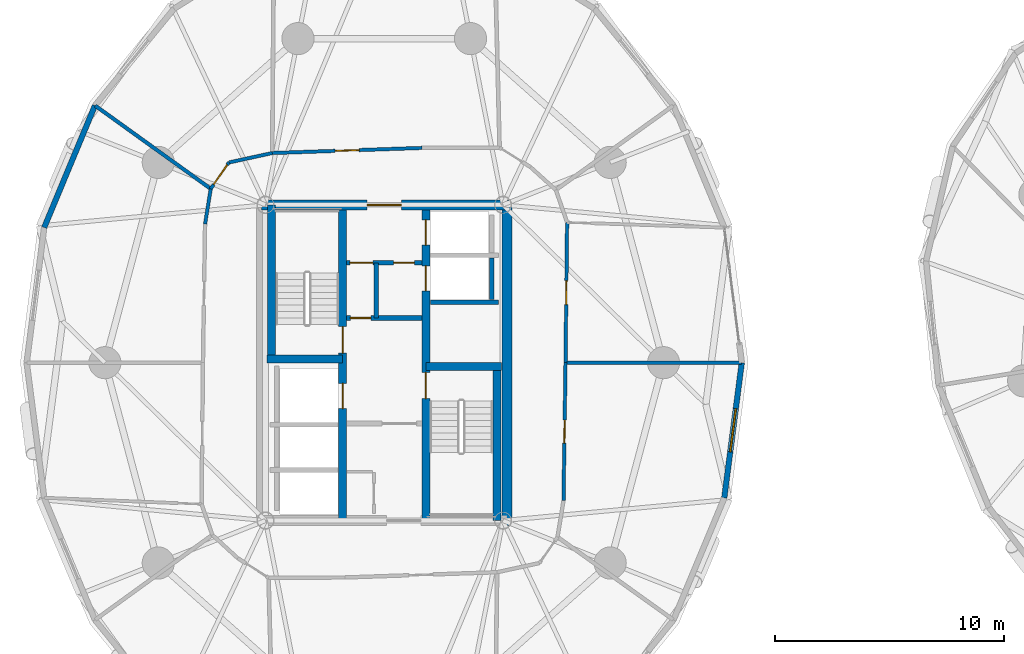
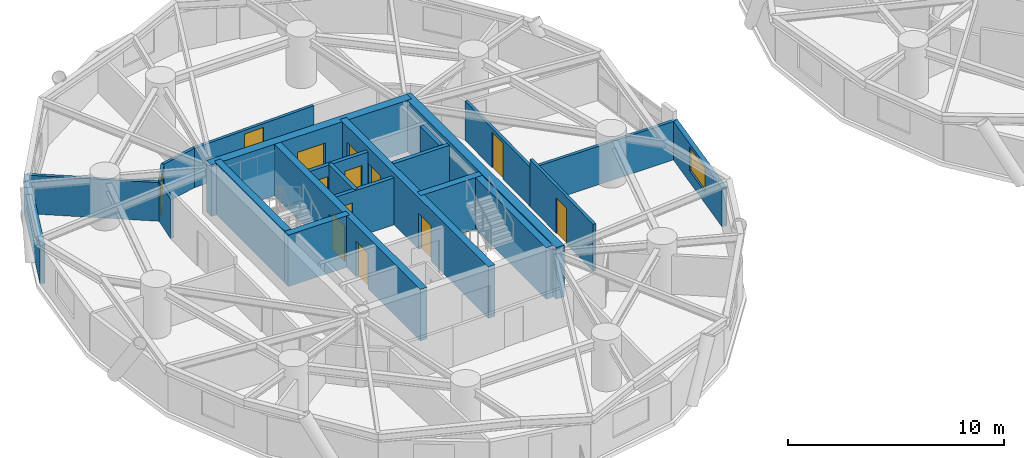
# One storey, part 10 of 17: 23 walls, 13 doors, 1 window, 14 openings.
"""IFC4 building model written with IfcOpenShell, lengths in metres."""

from ifc_helpers import new_model, si_unit, direction, frame, frame_2d, origin, place, context, subcontext, project, spatial, rectangle, extrude, source, transform, mapped, material, layer, layer_set, type_object, element, fill, save


model = new_model("IFC4")

# Units and contexts
model_context = context("Model", 3, precision=1e-05, world=origin(), true_north=direction((0.0, 1.0)))
body_context = subcontext(model_context, "Body", "Model", "MODEL_VIEW")
ifc_project = project(units=[si_unit("LENGTHUNIT", "METRE"), si_unit("AREAUNIT", "SQUARE_METRE"), si_unit("VOLUMEUNIT", "CUBIC_METRE"), si_unit("PLANEANGLEUNIT", "RADIAN"), si_unit("MASSUNIT", "GRAM", prefix="KILO")], contexts=[model_context])

# Site, building, storey
site_placement = place(None, origin())
site = spatial("IfcSite", under=ifc_project, at=site_placement, CompositionType="ELEMENT")
building_placement = place(site_placement, origin())
building = spatial("IfcBuilding", under=site, at=building_placement, Name="Cununo Teusaquillo Station Towers", CompositionType="ELEMENT")
storey_placement = place(building_placement, frame((0.0, 0.0, 78.8798828125)))
storey = spatial("IfcBuildingStorey", under=building, at=storey_placement, Name="L24", CompositionType="ELEMENT", Elevation=78.8798828125)

# Walls
ifc_material_1 = material(Name="Concrete C50/60", Category="concrete")
ifc_layer_1 = layer(ifc_material_1, 0.199951171875)
ifc_layer_set_1 = layer_set([ifc_layer_1], Name="Concrete C50/60")
wall_type_1 = type_object("IfcWallType", Name="WL-CORE-200", PredefinedType="SHEAR", material=ifc_layer_set_1)
wall_1_placement = place(storey_placement, frame((18.510009765625, 27.1298828125, 0.0), z_axis=(0.0, 0.0, 1.0), x_axis=(1.0, 0.0, 0.0)))
element("IfcWall", 1, at=wall_1_placement, inside=storey, type_object=wall_type_1, Name="L24 Tower A Low-Rise Lift Hoistway South Shear Wall", PredefinedType="SHEAR", context=body_context, shape_type="SweptSolid", body=[
    extrude(rectangle(XDim=2.969970703125, YDim=0.199951171875, at=frame_2d((1.48486328125, 0.0))), origin(), (0.0, 0.0, 1.0), 2.91015625),
])
wall_2_placement = place(storey_placement, frame((21.179931640625, 27.25, 0.0), z_axis=(0.0, 0.0, 1.0), x_axis=(0.0, 1.0, 0.0)))
element("IfcWall", 2, at=wall_2_placement, inside=storey, type_object=wall_type_1, Name="L24 Tower A Low-Rise Lift 1 Shaft Rear Shear Wall", PredefinedType="SHEAR", context=body_context, shape_type="SweptSolid", body=[
    extrude(rectangle(XDim=1.804931640625, YDim=0.199951171875, at=frame_2d((0.90234375, 0.0))), origin(), (0.0, 0.0, 1.0), 2.91015625),
])

# Wall, openings, doors
ifc_material_2 = material(Name="Concrete C50/60", Category="concrete")
ifc_layer_2 = layer(ifc_material_2, 0.35009765625)
ifc_layer_set_2 = layer_set([ifc_layer_2], Name="Concrete C50/60")
wall_type_2 = type_object("IfcWallType", Name="WL-CORE-350", PredefinedType="SHEAR", material=ifc_layer_set_2)
wall_3_placement = place(storey_placement, frame((14.68505859375, 17.625, 0.0), z_axis=(0.0, 0.0, 1.0), x_axis=(0.0, 1.0, 0.0)))
wall_3 = element("IfcWall", 3, at=wall_3_placement, inside=storey, type_object=wall_type_2, Name="L24 Tower A Core Shear Wall IW", PredefinedType="SHEAR", context=body_context, shape_type="SweptSolid", body=[
    extrude(rectangle(XDim=13.75, YDim=0.35009765625, at=frame_2d((6.875, 0.0))), origin(), (0.0, 0.0, 1.0), 2.91015625),
])
shared_shape_1 = source(origin(), body_context, "Body", "SweptSolid", [
    extrude(rectangle(XDim=1.10009765625, YDim=2.014892578125, at=frame_2d((0.550048828125, 1.00732421875))), frame((0.0, 0.18505859375, 0.0), z_axis=(0.0, -1.0, 0.0), x_axis=(1.0, 0.0, 0.0)), (0.0, 0.0, 1.0), 0.3701171875),
])
opening_1_placement = place(wall_3_placement, frame((4.875, 0.0, 0.0)))
opening_1 = element("IfcOpeningElement", 4, at=opening_1_placement, cuts=wall_3, Name="Opening LD-01", PredefinedType="OPENING", context=body_context, shape_type="MappedRepresentation", body=[
    mapped(shared_shape_1, transform((0.0, 0.0, 0.0), x_axis=(1.0, 0.0, 0.0), y_axis=(0.0, 1.0, 0.0), z_axis=(0.0, 0.0, 1.0), scale=1.0)),
])
shared_shape_2 = source(origin(), body_context, "Body", "SweptSolid", [
    extrude(rectangle(XDim=1.14990234375, YDim=2.02001953125, at=frame_2d((0.574951171875, 1.010009765625))), frame((0.0, 0.18505859375, 0.0), z_axis=(0.0, -1.0, 0.0), x_axis=(1.0, 0.0, 0.0)), (0.0, 0.0, 1.0), 0.3701171875),
])
opening_2_placement = place(wall_3_placement, frame((7.294921875, 0.0, 0.0)))
opening_2 = element("IfcOpeningElement", 5, at=opening_2_placement, cuts=wall_3, Name="Opening D-ST1", PredefinedType="OPENING", context=body_context, shape_type="MappedRepresentation", body=[
    mapped(shared_shape_2, transform((0.0, 0.0, 0.0), x_axis=(1.0, 0.0, 0.0), y_axis=(0.0, 1.0, 0.0), z_axis=(0.0, 0.0, 1.0), scale=1.0)),
])
ifc_material_3 = material(Name="Galvanised fire-rated hollow steel door assembly", Category="steel")
door_type_1 = type_object("IfcDoorType", Name="DR-LIFT-1100", OperationType="SLIDING_TO_LEFT", PredefinedType="DOOR", material=ifc_material_3)
shared_shape_3 = source(origin(), body_context, "Body", "SweptSolid", [
    extrude(rectangle(XDim=1.10009765625, YDim=2.014892578125, at=frame_2d((0.550048828125, 1.00732421875))), frame((0.0, 0.02490234375, 0.0), z_axis=(0.0, -1.0, 0.0), x_axis=(1.0, 0.0, 0.0)), (0.0, 0.0, 1.0), 0.050048828125),
])
door_1_placement = place(opening_1_placement, origin())
door_1 = element("IfcDoor", 6, at=door_1_placement, inside=storey, type_object=door_type_1, Name="L24 Lift FL-T1 Sliding Landing Door", OperationType="SLIDING_TO_LEFT", OverallHeight=2.014892578125, OverallWidth=1.10009765625, PredefinedType="DOOR", context=body_context, shape_type="MappedRepresentation", body=[
    mapped(shared_shape_3, transform((0.0, 0.0, 0.0), x_axis=(1.0, 0.0, 0.0), y_axis=(0.0, 1.0, 0.0), z_axis=(0.0, 0.0, 1.0), scale=1.0)),
])
fill(opening_1, door_1)
ifc_material_4 = material(Name="Galvanised fire-rated hollow steel door assembly", Category="steel")
door_type_2 = type_object("IfcDoorType", Name="DR-STAIR-1150", OperationType="NOTDEFINED", PredefinedType="DOOR", material=ifc_material_4)
shared_shape_4 = source(origin(), body_context, "Body", "SweptSolid", [
    extrude(rectangle(XDim=1.14990234375, YDim=2.02001953125, at=frame_2d((0.574951171875, 1.010009765625))), frame((0.0, 0.02490234375, 0.0), z_axis=(0.0, -1.0, 0.0), x_axis=(1.0, 0.0, 0.0)), (0.0, 0.0, 1.0), 0.050048828125),
])
door_2_placement = place(opening_2_placement, origin())
door_2 = element("IfcDoor", 7, at=door_2_placement, inside=storey, type_object=door_type_2, Name="L24 Tower A Exit Stair 1 Fire Door", OperationType="SINGLE_SWING_LEFT", OverallHeight=2.02001953125, OverallWidth=1.14990234375, PredefinedType="DOOR", context=body_context, shape_type="MappedRepresentation", body=[
    mapped(shared_shape_4, transform((0.0, 0.0, 0.0), x_axis=(1.0, 0.0, 0.0), y_axis=(0.0, 1.0, 0.0), z_axis=(0.0, 0.0, 1.0), scale=1.0)),
])
fill(opening_2, door_2)

wall_4_placement = place(storey_placement, frame((18.31494140625, 17.625, 0.0), z_axis=(0.0, 0.0, 1.0), x_axis=(0.0, 1.0, 0.0)))
wall_4 = element("IfcWall", 8, at=wall_4_placement, inside=storey, type_object=wall_type_2, Name="L24 Tower A Core Shear Wall IE", PredefinedType="SHEAR", context=body_context, shape_type="SweptSolid", body=[
    extrude(rectangle(XDim=13.75, YDim=0.35009765625, at=frame_2d((6.875, 0.0))), origin(), (0.0, 0.0, 1.0), 2.91015625),
])
opening_3_placement = place(wall_4_placement, frame((10.0, 0.0, 0.0)))
opening_3 = element("IfcOpeningElement", 9, at=opening_3_placement, cuts=wall_4, Name="Opening LD-01", PredefinedType="OPENING", context=body_context, shape_type="MappedRepresentation", body=[
    mapped(shared_shape_1, transform((0.0, 0.0, 0.0), x_axis=(1.0, 0.0, 0.0), y_axis=(0.0, 1.0, 0.0), z_axis=(0.0, 0.0, 1.0), scale=1.0)),
])
opening_4_placement = place(wall_4_placement, frame((12.0, 0.0, 0.0)))
opening_4 = element("IfcOpeningElement", 10, at=opening_4_placement, cuts=wall_4, Name="Opening LD-01", PredefinedType="OPENING", context=body_context, shape_type="MappedRepresentation", body=[
    mapped(shared_shape_1, transform((0.0, 0.0, 0.0), x_axis=(1.0, 0.0, 0.0), y_axis=(0.0, 1.0, 0.0), z_axis=(0.0, 0.0, 1.0), scale=1.0)),
])
opening_5_placement = place(wall_4_placement, frame((5.304931640625, 0.0, 0.0)))
opening_5 = element("IfcOpeningElement", 11, at=opening_5_placement, cuts=wall_4, Name="Opening D-ST1", PredefinedType="OPENING", context=body_context, shape_type="MappedRepresentation", body=[
    mapped(shared_shape_2, transform((0.0, 0.0, 0.0), x_axis=(1.0, 0.0, 0.0), y_axis=(0.0, 1.0, 0.0), z_axis=(0.0, 0.0, 1.0), scale=1.0)),
])
door_3_placement = place(opening_3_placement, origin())
door_3 = element("IfcDoor", 12, at=door_3_placement, inside=storey, type_object=door_type_1, Name="L24 Lift PL-T1-L1 Sliding Landing Door", OperationType="SLIDING_TO_LEFT", OverallHeight=2.014892578125, OverallWidth=1.10009765625, PredefinedType="DOOR", context=body_context, shape_type="MappedRepresentation", body=[
    mapped(shared_shape_3, transform((0.0, 0.0, 0.0), x_axis=(1.0, 0.0, 0.0), y_axis=(0.0, 1.0, 0.0), z_axis=(0.0, 0.0, 1.0), scale=1.0)),
])
fill(opening_3, door_3)
door_4_placement = place(opening_4_placement, origin())
door_4 = element("IfcDoor", 13, at=door_4_placement, inside=storey, type_object=door_type_1, Name="L24 Lift PL-T1-L2 Sliding Landing Door", OperationType="SLIDING_TO_RIGHT", OverallHeight=2.014892578125, OverallWidth=1.10009765625, PredefinedType="DOOR", context=body_context, shape_type="MappedRepresentation", body=[
    mapped(shared_shape_3, transform((0.0, 0.0, 0.0), x_axis=(1.0, 0.0, 0.0), y_axis=(0.0, 1.0, 0.0), z_axis=(0.0, 0.0, 1.0), scale=1.0)),
])
fill(opening_4, door_4)
door_5_placement = place(opening_5_placement, origin())
door_5 = element("IfcDoor", 14, at=door_5_placement, inside=storey, type_object=door_type_2, Name="L24 Tower A Exit Stair 2 Fire Door", OperationType="SINGLE_SWING_RIGHT", OverallHeight=2.02001953125, OverallWidth=1.14990234375, PredefinedType="DOOR", context=body_context, shape_type="MappedRepresentation", body=[
    mapped(shared_shape_4, transform((0.0, 0.0, 0.0), x_axis=(1.0, 0.0, 0.0), y_axis=(0.0, 1.0, 0.0), z_axis=(0.0, 0.0, 1.0), scale=1.0)),
])
fill(opening_5, door_5)

# Walls
wall_5_placement = place(storey_placement, frame((11.594970703125, 24.655029296875, 0.0), z_axis=(0.0, 0.0, 1.0), x_axis=(0.0, 1.0, 0.0)))
element("IfcWall", 15, at=wall_5_placement, inside=storey, type_object=wall_type_2, Name="L24 Tower A Core Shear Wall ST1W", PredefinedType="SHEAR", context=body_context, shape_type="SweptSolid", body=[
    extrude(rectangle(XDim=6.719970703125, YDim=0.35009765625, at=frame_2d((3.35986328125, 0.0))), origin(), (0.0, 0.0, 1.0), 2.91015625),
])
wall_6_placement = place(storey_placement, frame((11.39990234375, 24.655029296875, 0.0), z_axis=(0.0, 0.0, 1.0), x_axis=(1.0, 0.0, 0.0)))
element("IfcWall", 16, at=wall_6_placement, inside=storey, type_object=wall_type_2, Name="L24 Tower A Core Shear Wall ST1S", PredefinedType="SHEAR", context=body_context, shape_type="SweptSolid", body=[
    extrude(rectangle(XDim=3.28515625, YDim=0.35009765625, at=frame_2d((1.642578125, 0.0))), origin(), (0.0, 0.0, 1.0), 2.91015625),
])
wall_7_placement = place(storey_placement, frame((21.405029296875, 17.625, 0.0), z_axis=(0.0, 0.0, 1.0), x_axis=(0.0, 1.0, 0.0)))
element("IfcWall", 17, at=wall_7_placement, inside=storey, type_object=wall_type_2, Name="L24 Tower A Core Shear Wall ST2E", PredefinedType="SHEAR", context=body_context, shape_type="SweptSolid", body=[
    extrude(rectangle(XDim=6.719970703125, YDim=0.35009765625, at=frame_2d((3.35986328125, 0.0))), origin(), (0.0, 0.0, 1.0), 2.91015625),
])
wall_8_placement = place(storey_placement, frame((18.31494140625, 24.344970703125, 0.0), z_axis=(0.0, 0.0, 1.0), x_axis=(1.0, 0.0, 0.0)))
element("IfcWall", 18, at=wall_8_placement, inside=storey, type_object=wall_type_2, Name="L24 Tower A Core Shear Wall ST2N", PredefinedType="SHEAR", context=body_context, shape_type="SweptSolid", body=[
    extrude(rectangle(XDim=3.28515625, YDim=0.35009765625, at=frame_2d((1.642578125, 0.0))), origin(), (0.0, 0.0, 1.0), 2.91015625),
])
ifc_material_5 = material(Name="Concrete C60/75", Category="concrete")
ifc_layer_3 = layer(ifc_material_5, 0.449951171875)
ifc_layer_set_3 = layer_set([ifc_layer_3], Name="Concrete C60/75")
wall_type_3 = type_object("IfcWallType", Name="WL-CORE-450", PredefinedType="SHEAR", material=ifc_layer_set_3)
wall_9_placement = place(storey_placement, frame((21.85009765625, 17.39990234375, 0.0), z_axis=(0.0, 0.0, 1.0), x_axis=(0.0, 1.0, 0.0)))
element("IfcWall", 19, at=wall_9_placement, inside=storey, type_object=wall_type_3, Name="L24 Tower A Core Shear Wall E", PredefinedType="SHEAR", context=body_context, shape_type="SweptSolid", body=[
    extrude(rectangle(XDim=14.2001953125, YDim=0.449951171875, at=frame_2d((7.10009765625, 0.0))), origin(), (0.0, 0.0, 1.0), 2.91015625),
])

# Wall, opening, door
wall_10_placement = place(storey_placement, frame((11.14990234375, 31.375, 0.0), z_axis=(0.0, 0.0, 1.0), x_axis=(1.0, 0.0, 0.0)))
wall_10 = element("IfcWall", 20, at=wall_10_placement, inside=storey, type_object=wall_type_3, Name="L24 Tower A Core Shear Wall N", PredefinedType="SHEAR", context=body_context, shape_type="SweptSolid", body=[
    extrude(rectangle(XDim=10.7001953125, YDim=0.449951171875, at=frame_2d((5.35009765625, 0.0))), origin(), (0.0, 0.0, 1.0), 2.91015625),
])
shared_shape_5 = source(origin(), body_context, "Body", "SweptSolid", [
    extrude(rectangle(XDim=1.5, YDim=2.02001953125, at=frame_2d((0.75, 1.010009765625))), frame((0.0, 0.23486328125, 0.0), z_axis=(0.0, -1.0, 0.0), x_axis=(1.0, 0.0, 0.0)), (0.0, 0.0, 1.0), 0.469970703125),
])
opening_6_placement = place(wall_10_placement, frame((4.60009765625, 0.0, 0.0)))
opening_6 = element("IfcOpeningElement", 21, at=opening_6_placement, cuts=wall_10, Name="Opening D-LB1", PredefinedType="OPENING", context=body_context, shape_type="MappedRepresentation", body=[
    mapped(shared_shape_5, transform((0.0, 0.0, 0.0), x_axis=(1.0, 0.0, 0.0), y_axis=(0.0, 1.0, 0.0), z_axis=(0.0, 0.0, 1.0), scale=1.0)),
])
ifc_material_6 = material(Name="Galvanised fire-rated hollow steel door assembly", Category="steel")
door_type_3 = type_object("IfcDoorType", Name="DR-LOBBY-1500", OperationType="DOUBLE_DOOR_SINGLE_SWING", PredefinedType="DOOR", material=ifc_material_6)
shared_shape_6 = source(origin(), body_context, "Body", "SweptSolid", [
    extrude(rectangle(XDim=1.5, YDim=2.02001953125, at=frame_2d((0.75, 1.010009765625))), frame((0.0, 0.02490234375, 0.0), z_axis=(0.0, -1.0, 0.0), x_axis=(1.0, 0.0, 0.0)), (0.0, 0.0, 1.0), 0.050048828125),
])
door_6_placement = place(opening_6_placement, origin())
door_6 = element("IfcDoor", 22, at=door_6_placement, inside=storey, type_object=door_type_3, Name="L24 Tower A North Core Lift Lobby Door", OperationType="DOUBLE_DOOR_SINGLE_SWING", OverallHeight=2.02001953125, OverallWidth=1.5, PredefinedType="DOOR", context=body_context, shape_type="MappedRepresentation", body=[
    mapped(shared_shape_6, transform((0.0, 0.0, 0.0), x_axis=(1.0, 0.0, 0.0), y_axis=(0.0, 1.0, 0.0), z_axis=(0.0, 0.0, 1.0), scale=1.0)),
])
fill(opening_6, door_6)

# Wall
ifc_material_7 = material(Name="Precast concrete C40/50", Category="concrete")
ifc_layer_4 = layer(ifc_material_7, 0.239990234375)
ifc_layer_set_4 = layer_set([ifc_layer_4], Name="Precast concrete C40/50")
wall_type_4 = type_object("IfcWallType", Name="WL-EXT-240", PredefinedType="SOLIDWALL", material=ifc_layer_set_4)
wall_11_placement = place(storey_placement, frame((1.681640625, 30.39306640625, 0.0), z_axis=(0.0, 0.0, 1.0), x_axis=(0.384344417632, 0.923189779317, 0.0)))
element("IfcWall", 23, at=wall_11_placement, inside=storey, type_object=wall_type_4, Name="L24 Tower A Exterior Facade Wall C08", PredefinedType="SOLIDWALL", context=body_context, shape_type="SweptSolid", body=[
    extrude(rectangle(XDim=5.75830078125, YDim=0.239990234375, at=frame_2d((2.879150390625, 0.0))), origin(), (0.0, 0.0, 1.0), 2.17919921875),
])

# Wall, opening, window
wall_12_placement = place(storey_placement, frame((32.0810546875, 24.5, 0.0), z_axis=(0.0, 0.0, 1.0), x_axis=(-0.128351991996, -0.991728675672, 0.0)))
wall_12 = element("IfcWall", 24, at=wall_12_placement, inside=storey, type_object=wall_type_4, Name="L24 Tower A Exterior Facade Wall C19", PredefinedType="SOLIDWALL", context=body_context, shape_type="SweptSolid", body=[
    extrude(rectangle(XDim=5.942138671875, YDim=0.239990234375, at=frame_2d((2.97119140625, 0.0))), origin(), (0.0, 0.0, 1.0), 2.17919921875),
])
shared_shape_7 = source(origin(), body_context, "Body", "SweptSolid", [
    extrude(rectangle(XDim=1.89990234375, YDim=1.35009765625, at=frame_2d((0.949951171875, 0.675048828125))), frame((0.0, 0.1298828125, 0.0), z_axis=(0.0, -1.0, 0.0), x_axis=(1.0, 0.0, 0.0)), (0.0, 0.0, 1.0), 0.260009765625),
])
opening_7_placement = place(wall_12_placement, frame((2.02099609375, 0.0, 0.64990234375)))
opening_7 = element("IfcOpeningElement", 25, at=opening_7_placement, cuts=wall_12, Name="Opening WN-02", PredefinedType="OPENING", context=body_context, shape_type="MappedRepresentation", body=[
    mapped(shared_shape_7, transform((0.0, 0.0, 0.0), x_axis=(1.0, 0.0, 0.0), y_axis=(0.0, 1.0, 0.0), z_axis=(0.0, 0.0, 1.0), scale=1.0)),
])
ifc_material_8 = material(Name="Operable acoustic tinted low-E double glazing", Category="glass")
window_type = type_object("IfcWindowType", Name="WIN-OPER-1900", PartitioningType="DOUBLE_PANEL_VERTICAL", PredefinedType="WINDOW", material=ifc_material_8)
shared_shape_8 = source(origin(), body_context, "Body", "SweptSolid", [
    extrude(rectangle(XDim=1.89990234375, YDim=1.35009765625, at=frame_2d((0.949951171875, 0.675048828125))), frame((0.0, 0.030029296875, 0.0), z_axis=(0.0, -1.0, 0.0), x_axis=(1.0, 0.0, 0.0)), (0.0, 0.0, 1.0), 0.06005859375),
])
window_placement = place(opening_7_placement, origin())
window = element("IfcWindow", 26, at=window_placement, inside=storey, type_object=window_type, Name="L24 Tower A Facade Window C19", OverallHeight=1.35009765625, OverallWidth=1.89990234375, PartitioningType="DOUBLE_PANEL_VERTICAL", PredefinedType="WINDOW", context=body_context, shape_type="MappedRepresentation", body=[
    mapped(shared_shape_8, transform((0.0, 0.0, 0.0), x_axis=(1.0, 0.0, 0.0), y_axis=(0.0, 1.0, 0.0), z_axis=(0.0, 0.0, 1.0), scale=1.0)),
])
fill(opening_7, window)

# Wall, opening, door
ifc_material_9 = material(Name="Fire-rated gypsum plasterboard partition assembly", Category="gypsum")
ifc_layer_5 = layer(ifc_material_9, 0.14990234375)
ifc_layer_set_5 = layer_set([ifc_layer_5], Name="Fire-rated gypsum plasterboard partition assembly")
wall_type_5 = type_object("IfcWallType", Name="WL-PART-150", PredefinedType="PARTITIONING", material=ifc_layer_set_5)
wall_13_placement = place(storey_placement, frame((24.39990234375, 24.5, 0.0), z_axis=(0.0, 0.0, 1.0), x_axis=(0.011299841544, 0.999936154752, 0.0)))
wall_13 = element("IfcWall", 27, at=wall_13_placement, inside=storey, type_object=wall_type_5, Name="L24 Tower A Corridor Ring Wall C00", PredefinedType="PARTITIONING", context=body_context, shape_type="SweptSolid", body=[
    extrude(rectangle(XDim=6.114501953125, YDim=0.14990234375, at=frame_2d((3.05712890625, 0.0))), origin(), (0.0, 0.0, 1.0), 2.22509765625),
])
shared_shape_9 = source(origin(), body_context, "Body", "SweptSolid", [
    extrude(rectangle(XDim=1.050048828125, YDim=2.014892578125, at=frame_2d((0.52490234375, 1.00732421875))), frame((0.0, 0.0849609375, 0.0), z_axis=(0.0, -1.0, 0.0), x_axis=(1.0, 0.0, 0.0)), (0.0, 0.0, 1.0), 0.169921875),
])
opening_8_placement = place(wall_13_placement, frame((2.5322265625, 0.0, 0.0)))
opening_8 = element("IfcOpeningElement", 28, at=opening_8_placement, cuts=wall_13, Name="Opening D-SU1", PredefinedType="OPENING", context=body_context, shape_type="MappedRepresentation", body=[
    mapped(shared_shape_9, transform((0.0, 0.0, 0.0), x_axis=(1.0, 0.0, 0.0), y_axis=(0.0, 1.0, 0.0), z_axis=(0.0, 0.0, 1.0), scale=1.0)),
])
ifc_material_10 = material(Name="Acoustic solid-core hardwood leaf assembly", Category="wood")
door_type_4 = type_object("IfcDoorType", Name="DR-SUITE-1050", OperationType="NOTDEFINED", PredefinedType="DOOR", material=ifc_material_10)
shared_shape_10 = source(origin(), body_context, "Body", "SweptSolid", [
    extrude(rectangle(XDim=1.050048828125, YDim=2.014892578125, at=frame_2d((0.52490234375, 1.00732421875))), frame((0.0, 0.02490234375, 0.0), z_axis=(0.0, -1.0, 0.0), x_axis=(1.0, 0.0, 0.0)), (0.0, 0.0, 1.0), 0.050048828125),
])
door_7_placement = place(opening_8_placement, origin())
door_7 = element("IfcDoor", 29, at=door_7_placement, inside=storey, type_object=door_type_4, Name="L24 Tower A Senior Partners Law Chambers Entrance Door", OperationType="SINGLE_SWING_LEFT", OverallHeight=2.014892578125, OverallWidth=1.050048828125, PredefinedType="DOOR", context=body_context, shape_type="MappedRepresentation", body=[
    mapped(shared_shape_10, transform((0.0, 0.0, 0.0), x_axis=(1.0, 0.0, 0.0), y_axis=(0.0, 1.0, 0.0), z_axis=(0.0, 0.0, 1.0), scale=1.0)),
])
fill(opening_8, door_7)

wall_14_placement = place(storey_placement, frame((18.142822265625, 33.859619140625, 0.0), z_axis=(0.0, 0.0, 1.0), x_axis=(-0.999419208319, -0.034077060363, 0.0)))
wall_14 = element("IfcWall", 30, at=wall_14_placement, inside=storey, type_object=wall_type_5, Name="L24 Tower A Corridor Ring Wall C05", PredefinedType="PARTITIONING", context=body_context, shape_type="SweptSolid", body=[
    extrude(rectangle(XDim=6.52685546875, YDim=0.14990234375, at=frame_2d((3.263427734375, 0.0))), origin(), (0.0, 0.0, 1.0), 2.22509765625),
])
opening_9_placement = place(wall_14_placement, frame((2.73828125, 0.0, 0.0)))
opening_9 = element("IfcOpeningElement", 31, at=opening_9_placement, cuts=wall_14, Name="Opening D-SU1", PredefinedType="OPENING", context=body_context, shape_type="MappedRepresentation", body=[
    mapped(shared_shape_9, transform((0.0, 0.0, 0.0), x_axis=(1.0, 0.0, 0.0), y_axis=(0.0, 1.0, 0.0), z_axis=(0.0, 0.0, 1.0), scale=1.0)),
])
door_8_placement = place(opening_9_placement, origin())
door_8 = element("IfcDoor", 32, at=door_8_placement, inside=storey, type_object=door_type_4, Name="L24 Tower A Associate Open-Plan Workplace Entrance Door", OperationType="SINGLE_SWING_RIGHT", OverallHeight=2.014892578125, OverallWidth=1.050048828125, PredefinedType="DOOR", context=body_context, shape_type="MappedRepresentation", body=[
    mapped(shared_shape_10, transform((0.0, 0.0, 0.0), x_axis=(1.0, 0.0, 0.0), y_axis=(0.0, 1.0, 0.0), z_axis=(0.0, 0.0, 1.0), scale=1.0)),
])
fill(opening_9, door_8)

# Wall
wall_15_placement = place(storey_placement, frame((11.619873046875, 33.63720703125, 0.0), z_axis=(0.0, 0.0, 1.0), x_axis=(-0.97702579435, -0.213121085711, 0.0)))
element("IfcWall", 33, at=wall_15_placement, inside=storey, type_object=wall_type_5, Name="L24 Tower A Corridor Ring Wall C06", PredefinedType="PARTITIONING", context=body_context, shape_type="SweptSolid", body=[
    extrude(rectangle(XDim=1.934814453125, YDim=0.14990234375, at=frame_2d((0.96728515625, 0.0))), origin(), (0.0, 0.0, 1.0), 2.22509765625),
])

# Wall, opening, door
wall_16_placement = place(storey_placement, frame((9.7294921875, 33.224853515625, 0.0), z_axis=(0.0, 0.0, 1.0), x_axis=(-0.567183649484, -0.82359134755, 0.0)))
wall_16 = element("IfcWall", 34, at=wall_16_placement, inside=storey, type_object=wall_type_5, Name="L24 Tower A Corridor Ring Wall C07", PredefinedType="PARTITIONING", context=body_context, shape_type="SweptSolid", body=[
    extrude(rectangle(XDim=1.39208984375, YDim=0.14990234375, at=frame_2d((0.696044921875, 0.0))), origin(), (0.0, 0.0, 1.0), 2.22509765625),
])
opening_10_placement = place(wall_16_placement, frame((0.1201171875, 0.0, 0.0)))
opening_10 = element("IfcOpeningElement", 35, at=opening_10_placement, cuts=wall_16, Name="Opening D-SU1", PredefinedType="OPENING", context=body_context, shape_type="MappedRepresentation", body=[
    mapped(shared_shape_9, transform((0.0, 0.0, 0.0), x_axis=(1.0, 0.0, 0.0), y_axis=(0.0, 1.0, 0.0), z_axis=(0.0, 0.0, 1.0), scale=1.0)),
])
door_9_placement = place(opening_10_placement, origin())
door_9 = element("IfcDoor", 36, at=door_9_placement, inside=storey, type_object=door_type_4, Name="L24 Tower A Legal Research Library Entrance Door", OperationType="SINGLE_SWING_LEFT", OverallHeight=2.014892578125, OverallWidth=1.050048828125, PredefinedType="DOOR", context=body_context, shape_type="MappedRepresentation", body=[
    mapped(shared_shape_10, transform((0.0, 0.0, 0.0), x_axis=(1.0, 0.0, 0.0), y_axis=(0.0, 1.0, 0.0), z_axis=(0.0, 0.0, 1.0), scale=1.0)),
])
fill(opening_10, door_9)

# Wall
wall_17_placement = place(storey_placement, frame((8.93994140625, 32.078369140625, 0.0), z_axis=(0.0, 0.0, 1.0), x_axis=(-0.159148467753, -0.98725466077, 0.0)))
element("IfcWall", 37, at=wall_17_placement, inside=storey, type_object=wall_type_5, Name="L24 Tower A Corridor Ring Wall C08", PredefinedType="PARTITIONING", context=body_context, shape_type="SweptSolid", body=[
    extrude(rectangle(XDim=1.553955078125, YDim=0.14990234375, at=frame_2d((0.77685546875, 0.0))), origin(), (0.0, 0.0, 1.0), 2.22509765625),
])

# Wall, opening, door
wall_18_placement = place(storey_placement, frame((24.3134765625, 18.496337890625, 0.0), z_axis=(0.0, 0.0, 1.0), x_axis=(0.014394019188, 0.999896400739, 0.0)))
wall_18 = element("IfcWall", 38, at=wall_18_placement, inside=storey, type_object=wall_type_5, Name="L24 Tower A Corridor Ring Wall C19", PredefinedType="PARTITIONING", context=body_context, shape_type="SweptSolid", body=[
    extrude(rectangle(XDim=6.00439453125, YDim=0.14990234375, at=frame_2d((3.002197265625, 0.0))), origin(), (0.0, 0.0, 1.0), 2.655029296875),
])
shared_shape_11 = source(origin(), body_context, "Body", "SweptSolid", [
    extrude(rectangle(XDim=1.0, YDim=2.014892578125, at=frame_2d((0.5, 1.00732421875))), frame((0.0, 0.0849609375, 0.0), z_axis=(0.0, -1.0, 0.0), x_axis=(1.0, 0.0, 0.0)), (0.0, 0.0, 1.0), 0.169921875),
])
opening_11_placement = place(wall_18_placement, frame((2.502197265625, 0.0, 0.0)))
opening_11 = element("IfcOpeningElement", 39, at=opening_11_placement, cuts=wall_18, Name="Opening D-AC1", PredefinedType="OPENING", context=body_context, shape_type="MappedRepresentation", body=[
    mapped(shared_shape_11, transform((0.0, 0.0, 0.0), x_axis=(1.0, 0.0, 0.0), y_axis=(0.0, 1.0, 0.0), z_axis=(0.0, 0.0, 1.0), scale=1.0)),
])
ifc_material_11 = material(Name="Acoustic solid-core hardwood leaf assembly", Category="wood")
door_type_5 = type_object("IfcDoorType", Name="DR-ACC-1000", OperationType="NOTDEFINED", PredefinedType="DOOR", material=ifc_material_11)
shared_shape_12 = source(origin(), body_context, "Body", "SweptSolid", [
    extrude(rectangle(XDim=1.0, YDim=2.014892578125, at=frame_2d((0.5, 1.00732421875))), frame((0.0, 0.02490234375, 0.0), z_axis=(0.0, -1.0, 0.0), x_axis=(1.0, 0.0, 0.0)), (0.0, 0.0, 1.0), 0.050048828125),
])
door_10_placement = place(opening_11_placement, origin())
door_10 = element("IfcDoor", 40, at=door_10_placement, inside=storey, type_object=door_type_5, Name="L24 Tower A Public Accessible Restroom WC Entrance Door", OperationType="SINGLE_SWING_RIGHT", OverallHeight=2.014892578125, OverallWidth=1.0, PredefinedType="DOOR", context=body_context, shape_type="MappedRepresentation", body=[
    mapped(shared_shape_12, transform((0.0, 0.0, 0.0), x_axis=(1.0, 0.0, 0.0), y_axis=(0.0, 1.0, 0.0), z_axis=(0.0, 0.0, 1.0), scale=1.0)),
])
fill(opening_11, door_10)

# Walls
ifc_material_12 = material(Name="Fire-rated gypsum plasterboard partition assembly", Category="gypsum")
ifc_layer_6 = layer(ifc_material_12, 0.159912109375)
ifc_layer_set_6 = layer_set([ifc_layer_6], Name="Fire-rated gypsum plasterboard partition assembly")
wall_type_6 = type_object("IfcWallType", Name="WL-PART-160", PredefinedType="PARTITIONING", material=ifc_layer_set_6)
wall_19_placement = place(storey_placement, frame((24.39990234375, 24.5, 0.0), z_axis=(0.0, 0.0, 1.0), x_axis=(1.0, 0.0, 0.0)))
element("IfcWall", 41, at=wall_19_placement, inside=storey, type_object=wall_type_6, Name="L24 Tower A Radial Suite Partition R01", PredefinedType="PARTITIONING", context=body_context, shape_type="SweptSolid", body=[
    extrude(rectangle(XDim=7.6611328125, YDim=0.159912109375, at=frame_2d((3.83056640625, 0.0))), origin(), (0.0, 0.0, 1.0), 2.17919921875),
])
wall_20_placement = place(storey_placement, frame((8.93994140625, 32.078369140625, 0.0), z_axis=(0.0, 0.0, 1.0), x_axis=(-0.811689023641, 0.584089829479, 0.0)))
element("IfcWall", 42, at=wall_20_placement, inside=storey, type_object=wall_type_6, Name="L24 Tower A Radial Suite Partition R05", PredefinedType="PARTITIONING", context=body_context, shape_type="SweptSolid", body=[
    extrude(rectangle(XDim=6.19580078125, YDim=0.159912109375, at=frame_2d((3.097900390625, 0.0))), origin(), (0.0, 0.0, 1.0), 2.17919921875),
])

# Wall, opening, door
ifc_material_13 = material(Name="Fire-rated gypsum plasterboard partition assembly", Category="gypsum")
ifc_layer_7 = layer(ifc_material_13, 0.199951171875)
ifc_layer_set_7 = layer_set([ifc_layer_7], Name="Fire-rated gypsum plasterboard partition assembly")
wall_type_7 = type_object("IfcWallType", Name="WL-PART-200", PredefinedType="PARTITIONING", material=ifc_layer_set_7)
wall_21_placement = place(storey_placement, frame((14.860107421875, 26.449951171875, 0.0), z_axis=(0.0, 0.0, 1.0), x_axis=(1.0, 0.0, 0.0)))
wall_21 = element("IfcWall", 43, at=wall_21_placement, inside=storey, type_object=wall_type_7, Name="L24 Tower A Firefighting Lift Lobby North Fire Wall", PredefinedType="PARTITIONING", context=body_context, shape_type="SweptSolid", body=[
    extrude(rectangle(XDim=3.27978515625, YDim=0.199951171875, at=frame_2d((1.639892578125, 0.0))), origin(), (0.0, 0.0, 1.0), 2.655029296875),
])
shared_shape_13 = source(origin(), body_context, "Body", "SweptSolid", [
    extrude(rectangle(XDim=0.89990234375, YDim=2.0048828125, at=frame_2d((0.449951171875, 1.00244140625))), frame((0.0, 0.10986328125, 0.0), z_axis=(0.0, -1.0, 0.0), x_axis=(1.0, 0.0, 0.0)), (0.0, 0.0, 1.0), 0.219970703125),
])
opening_12_placement = place(wall_21_placement, frame((0.159912109375, 0.0, 0.0)))
opening_12 = element("IfcOpeningElement", 44, at=opening_12_placement, cuts=wall_21, Name="Opening D-SR1", PredefinedType="OPENING", context=body_context, shape_type="MappedRepresentation", body=[
    mapped(shared_shape_13, transform((0.0, 0.0, 0.0), x_axis=(1.0, 0.0, 0.0), y_axis=(0.0, 1.0, 0.0), z_axis=(0.0, 0.0, 1.0), scale=1.0)),
])
ifc_material_14 = material(Name="Galvanised fire-rated hollow steel door assembly", Category="steel")
door_type_6 = type_object("IfcDoorType", Name="DR-STORE-900", OperationType="NOTDEFINED", PredefinedType="DOOR", material=ifc_material_14)
shared_shape_14 = source(origin(), body_context, "Body", "SweptSolid", [
    extrude(rectangle(XDim=0.89990234375, YDim=2.0048828125, at=frame_2d((0.449951171875, 1.00244140625))), frame((0.0, 0.02490234375, 0.0), z_axis=(0.0, -1.0, 0.0), x_axis=(1.0, 0.0, 0.0)), (0.0, 0.0, 1.0), 0.050048828125),
])
door_11_placement = place(opening_12_placement, origin())
door_11 = element("IfcDoor", 45, at=door_11_placement, inside=storey, type_object=door_type_6, Name="L24 Tower A Stair 1 Protected Vestibule South Door", OperationType="SINGLE_SWING_LEFT", OverallHeight=2.0048828125, OverallWidth=0.89990234375, PredefinedType="DOOR", context=body_context, shape_type="MappedRepresentation", body=[
    mapped(shared_shape_14, transform((0.0, 0.0, 0.0), x_axis=(1.0, 0.0, 0.0), y_axis=(0.0, 1.0, 0.0), z_axis=(0.0, 0.0, 1.0), scale=1.0)),
])
fill(opening_12, door_11)

# Wall
wall_22_placement = place(storey_placement, frame((16.14990234375, 26.449951171875, 0.0), z_axis=(0.0, 0.0, 1.0), x_axis=(0.0, 1.0, 0.0)))
element("IfcWall", 46, at=wall_22_placement, inside=storey, type_object=wall_type_7, Name="L24 Tower A Stair 1 Vestibule Partition Wall", PredefinedType="PARTITIONING", context=body_context, shape_type="SweptSolid", body=[
    extrude(rectangle(XDim=2.400146484375, YDim=0.199951171875, at=frame_2d((1.2001953125, 0.0))), origin(), (0.0, 0.0, 1.0), 2.655029296875),
])

# Wall, openings, doors
wall_23_placement = place(storey_placement, frame((14.860107421875, 28.85009765625, 0.0), z_axis=(0.0, 0.0, 1.0), x_axis=(1.0, 0.0, 0.0)))
wall_23 = element("IfcWall", 47, at=wall_23_placement, inside=storey, type_object=wall_type_7, Name="L24 Tower A North Lift Lobby South Fire Wall", PredefinedType="PARTITIONING", context=body_context, shape_type="SweptSolid", body=[
    extrude(rectangle(XDim=3.27978515625, YDim=0.199951171875, at=frame_2d((1.639892578125, 0.0))), origin(), (0.0, 0.0, 1.0), 2.655029296875),
])
shared_shape_15 = source(origin(), body_context, "Body", "SweptSolid", [
    extrude(rectangle(XDim=1.0, YDim=2.014892578125, at=frame_2d((0.5, 1.00732421875))), frame((0.0, 0.10986328125, 0.0), z_axis=(0.0, -1.0, 0.0), x_axis=(1.0, 0.0, 0.0)), (0.0, 0.0, 1.0), 0.219970703125),
])
opening_13_placement = place(wall_23_placement, frame((0.139892578125, 0.0, 0.0)))
opening_13 = element("IfcOpeningElement", 48, at=opening_13_placement, cuts=wall_23, Name="Opening D-AC1", PredefinedType="OPENING", context=body_context, shape_type="MappedRepresentation", body=[
    mapped(shared_shape_15, transform((0.0, 0.0, 0.0), x_axis=(1.0, 0.0, 0.0), y_axis=(0.0, 1.0, 0.0), z_axis=(0.0, 0.0, 1.0), scale=1.0)),
])
opening_14_placement = place(wall_23_placement, frame((2.050048828125, 0.0, 0.0)))
opening_14 = element("IfcOpeningElement", 49, at=opening_14_placement, cuts=wall_23, Name="Opening D-SR1", PredefinedType="OPENING", context=body_context, shape_type="MappedRepresentation", body=[
    mapped(shared_shape_13, transform((0.0, 0.0, 0.0), x_axis=(1.0, 0.0, 0.0), y_axis=(0.0, 1.0, 0.0), z_axis=(0.0, 0.0, 1.0), scale=1.0)),
])
door_12_placement = place(opening_14_placement, origin())
door_12 = element("IfcDoor", 50, at=door_12_placement, inside=storey, type_object=door_type_6, Name="L24 Tower A Core Housekeeping & Linen Store Door", OperationType="SINGLE_SWING_RIGHT", OverallHeight=2.0048828125, OverallWidth=0.89990234375, PredefinedType="DOOR", context=body_context, shape_type="MappedRepresentation", body=[
    mapped(shared_shape_14, transform((0.0, 0.0, 0.0), x_axis=(1.0, 0.0, 0.0), y_axis=(0.0, 1.0, 0.0), z_axis=(0.0, 0.0, 1.0), scale=1.0)),
])
fill(opening_14, door_12)
door_13_placement = place(opening_13_placement, origin())
door_13 = element("IfcDoor", 51, at=door_13_placement, inside=storey, type_object=door_type_5, Name="L24 Tower A North Lift Lobby to Stair 1 Vestibule Door", OperationType="SINGLE_SWING_RIGHT", OverallHeight=2.014892578125, OverallWidth=1.0, PredefinedType="DOOR", context=body_context, shape_type="MappedRepresentation", body=[
    mapped(shared_shape_12, transform((0.0, 0.0, 0.0), x_axis=(1.0, 0.0, 0.0), y_axis=(0.0, 1.0, 0.0), z_axis=(0.0, 0.0, 1.0), scale=1.0)),
])
fill(opening_13, door_13)

save(model, "model.ifc")
